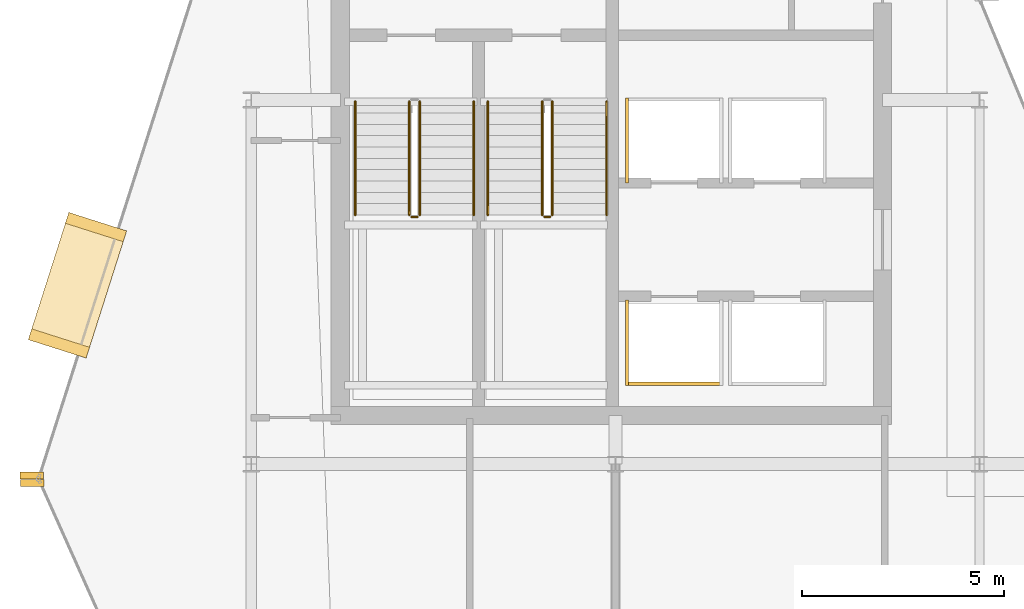
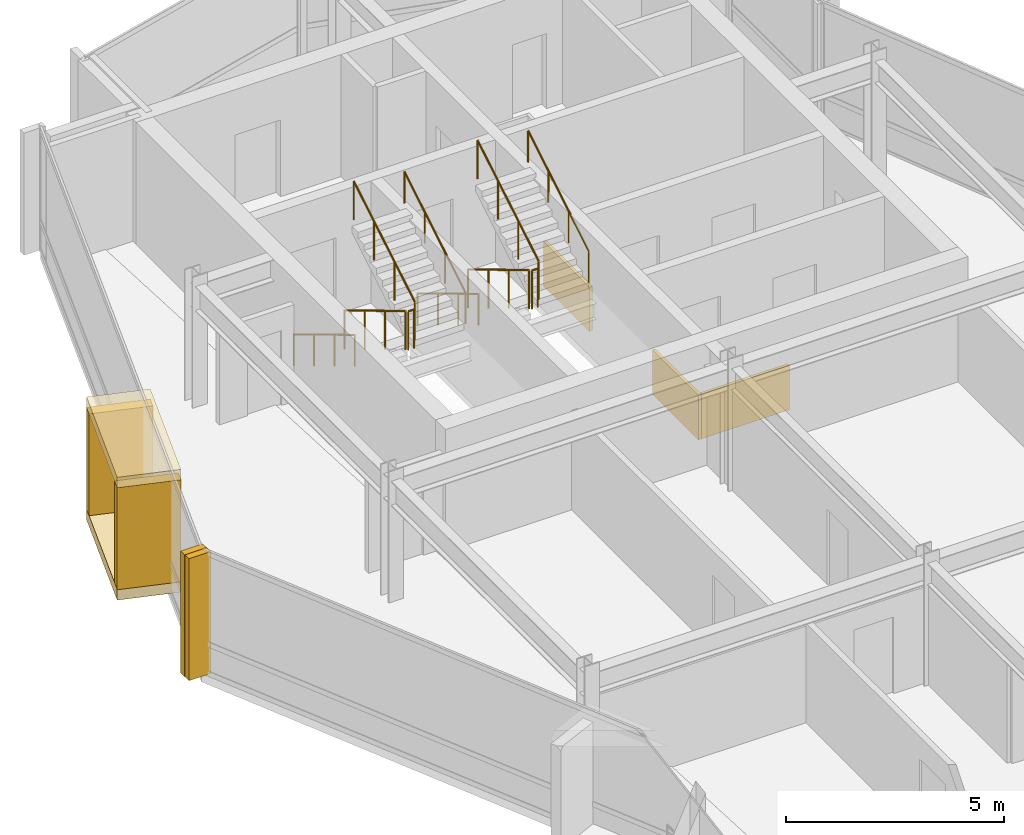
# One storey, part 17 of 19: 10 railings, 9 coverings.
"""IFC4 building model written with IfcOpenShell, lengths in metres."""

from ifc_helpers import new_model, si_unit, direction, frame, origin, origin_2d, place, context, subcontext, project, spatial, rectangle, circle, extrude, material, layer, layer_set, type_object, element, save


model = new_model("IFC4")

# Units and contexts
model_context = context("Model", 3, precision=1e-05, world=origin(), true_north=direction((0.0, 1.0)))
body_context = subcontext(model_context, "Body", "Model", "MODEL_VIEW")
ifc_project = project(units=[si_unit("LENGTHUNIT", "METRE"), si_unit("AREAUNIT", "SQUARE_METRE"), si_unit("VOLUMEUNIT", "CUBIC_METRE"), si_unit("PLANEANGLEUNIT", "RADIAN"), si_unit("MASSUNIT", "GRAM", prefix="KILO")], contexts=[model_context])

# Site, building, storey
site_placement = place(None, origin())
site = spatial("IfcSite", under=ifc_project, at=site_placement, CompositionType="ELEMENT")
building_placement = place(site_placement, origin())
building = spatial("IfcBuilding", under=site, at=building_placement, Name="Solvaryn Broadcast Tower", CompositionType="ELEMENT")
storey_placement = place(building_placement, frame((0.0, 0.0, 251.89990234375)))
storey = spatial("IfcBuildingStorey", under=building, at=storey_placement, Name="L63", CompositionType="ELEMENT", Elevation=251.89990234375)

# Coverings
ifc_material_1 = material(Name="Fire-Rated Gypsum Shaftwall Liner", Category="concrete")
ifc_layer_1 = layer(ifc_material_1, 0.080078125)
ifc_layer_set_1 = layer_set([ifc_layer_1], Name="CV-SHAFT-LINER")
covering_type_1 = type_object("IfcCoveringType", Name="CV-SHAFT-LINER", PredefinedType="CLADDING", material=ifc_layer_set_1)
covering_placement = place(storey_placement, frame((19.449951171875, 28.985107421875, 0.0), z_axis=(0.0, 0.0, 1.0), x_axis=(1.0, 0.0, 0.0)))
element("IfcCovering", 1, at=covering_placement, inside=storey, type_object=covering_type_1, Name="L63 PH1 Hoistway Shaft Liner South", PredefinedType="CLADDING", context=body_context, shape_type="SweptSolid", body=[
    extrude(rectangle(XDim=2.409912109375, YDim=0.080078125, at=origin_2d()), origin(), (0.0, 0.0, 1.0), 1.25),
])
for number, where, z_axis, x_axis, name in (
    (2, (18.284912109375, 30.0, 0.0), (0.0, 0.0, 1.0), (1.0, 0.0, 0.0), "L63 PH1 Hoistway Shaft Liner West"),
    (3, (18.284912109375, 35.0, 0.0), (0.0, 0.0, 1.0), (1.0, 0.0, 0.0), "L63 PH3 Hoistway Shaft Liner West"),
):
    element("IfcCovering", number, at=place(storey_placement, frame(where, z_axis=z_axis, x_axis=x_axis)), inside=storey, type_object=covering_type_1, Name=name, PredefinedType="CLADDING", context=body_context, shape_type="SweptSolid", body=[
        extrude(rectangle(XDim=0.080078125, YDim=2.110107421875, at=origin_2d()), origin(), (0.0, 0.0, 1.0), 1.25),
    ])
ifc_material_2 = material(Name="Glazed Architectural Terracotta Rainscreen Cladding", Category="masonry")
ifc_layer_2 = layer(ifc_material_2, 0.280029296875)
ifc_layer_set_2 = layer_set([ifc_layer_2], Name="CV-TC-CLAD")
covering_type_2 = type_object("IfcCoveringType", Name="CV-TC-CLAD", PredefinedType="CLADDING", material=ifc_layer_set_2)
for number, where, z_axis, x_axis, name in (
    (4, (4.7060546875, 31.4208984375, 3.1298828125), (0.0, 0.0, 1.0), (-0.303534206887, -0.952820541996, 0.0), "L63 Projecting Stone Window Box Hood 1"),
    (5, (4.7060546875, 31.4208984375, -0.009765625), (0.0, 0.0, 1.0), (-0.303534206887, -0.952820541996, 0.0), "L63 Projecting Stone Window Box Sill 1"),
):
    element("IfcCovering", number, at=place(storey_placement, frame(where, z_axis=z_axis, x_axis=x_axis)), inside=storey, type_object=covering_type_2, Name=name, PredefinedType="CLADDING", context=body_context, shape_type="SweptSolid", body=[
        extrude(rectangle(XDim=3.300048828125, YDim=1.5, at=origin_2d()), origin(), (0.0, 0.0, 1.0), 0.300048828125),
    ])
for number, where, z_axis, x_axis, name in (
    (6, (5.164306640625, 32.85986328125, 0.2802734375), (0.0, 0.0, 1.0), (-0.303534206887, -0.952820541996, 0.0), "L63 Projecting Stone Window Box Cheek 1-1"),
    (7, (4.247802734375, 29.982177734375, 0.2802734375), (0.0, 0.0, 1.0), (-0.303534206887, -0.952820541996, 0.0), "L63 Projecting Stone Window Box Cheek 1-2"),
):
    element("IfcCovering", number, at=place(storey_placement, frame(where, z_axis=z_axis, x_axis=x_axis)), inside=storey, type_object=covering_type_2, Name=name, PredefinedType="CLADDING", context=body_context, shape_type="SweptSolid", body=[
        extrude(rectangle(XDim=0.280029296875, YDim=1.5, at=origin_2d()), origin(), (0.0, 0.0, 1.0), 2.860107421875),
    ])
ifc_material_3 = material(Name="Extruded Architectural Terracotta Fin", Category="masonry")
ifc_layer_3 = layer(ifc_material_3, 0.179931640625)
ifc_layer_set_3 = layer_set([ifc_layer_3], Name="CV-TC-FIN")
covering_type_3 = type_object("IfcCoveringType", Name="CV-TC-FIN", PredefinedType="USERDEFINED", material=ifc_layer_set_3)
for number, where, z_axis, x_axis, name in (
    (8, (3.575439453125, 26.71923828125, 0.000244140625), (0.0, 0.0, 1.0), (1.0, 0.0, 0.0), "L63 Terracotta Vertical Fin FIN-L63-DR1-M01"),
    (9, (3.5859375, 26.53515625, 0.000244140625), (0.0, 0.0, 1.0), (1.0, 0.0, 0.0), "L63 Terracotta Vertical Fin FIN-L63-DR2-M00"),
):
    element("IfcCovering", number, at=place(storey_placement, frame(where, z_axis=z_axis, x_axis=x_axis)), inside=storey, type_object=covering_type_3, Name=name, ObjectType="FIN", PredefinedType="USERDEFINED", context=body_context, shape_type="SweptSolid", body=[
        extrude(rectangle(XDim=0.580078125, YDim=0.179931640625, at=origin_2d()), origin(), (0.0, 0.0, 1.0), 3.419921875),
    ])

# Railings
ifc_material_4 = material(Name="Painted Steel Stair Well Guard", Category="steel")
railing_type_1 = type_object("IfcRailingType", Name="RL-STAIR-GUARD", PredefinedType="BALUSTRADE", material=ifc_material_4)
railing_1_placement = place(storey_placement, frame((12.909912109375, 35.9599609375, 0.168212890625)))
element("IfcRailing", 10, at=railing_1_placement, inside=storey, type_object=railing_type_1, Name="L63 ST1 stair guard 1", PredefinedType="BALUSTRADE", context=body_context, shape_type="SweptSolid", body=[
    extrude(circle(Radius=0.02392578125, at=origin_2d()), frame((0.0, 0.0, 1.076171875), z_axis=(0.0, -0.857242210791, 0.514913383045), x_axis=(1.0, 0.0, 0.0)), (0.0, 0.0, 1.0), 3.266357421875),
    extrude(circle(Radius=0.02099609375, at=origin_2d()), origin(), (0.0, 0.0, 1.0), 1.052001953125),
    extrude(circle(Radius=0.02099609375, at=origin_2d()), frame((0.0, -0.933349609375, 0.560546875)), (0.0, 0.0, 1.0), 1.052001953125),
    extrude(circle(Radius=0.02099609375, at=origin_2d()), frame((0.0, -1.86669921875, 1.121337890625)), (0.0, 0.0, 1.0), 1.052001953125),
    extrude(circle(Radius=0.02099609375, at=origin_2d()), frame((0.0, -2.800048828125, 1.681884765625)), (0.0, 0.0, 1.0), 1.052001953125),
])
railing_2_placement = place(storey_placement, frame((12.9599609375, 33.110107421875, 1.85009765625)))
element("IfcRailing", 11, at=railing_2_placement, inside=storey, type_object=railing_type_1, Name="L63 ST1 stair guard 2", PredefinedType="BALUSTRADE", context=body_context, shape_type="SweptSolid", body=[
    extrude(circle(Radius=0.02392578125, at=origin_2d()), frame((0.0, 0.0, 1.076171875), z_axis=(1.0, 0.0, 0.0), x_axis=(0.0, 1.0, 0.0)), (0.0, 0.0, 1.0), 0.150146484375),
    extrude(circle(Radius=0.02099609375, at=origin_2d()), origin(), (0.0, 0.0, 1.0), 1.052001953125),
    extrude(circle(Radius=0.02099609375, at=origin_2d()), frame((0.150146484375, 0.0, 0.0)), (0.0, 0.0, 1.0), 1.052001953125),
])
railing_3_placement = place(storey_placement, frame((13.159912109375, 33.159912109375, 2.018310546875)))
element("IfcRailing", 12, at=railing_3_placement, inside=storey, type_object=railing_type_1, Name="L63 ST1 stair guard 3", PredefinedType="BALUSTRADE", context=body_context, shape_type="SweptSolid", body=[
    extrude(circle(Radius=0.02392578125, at=origin_2d()), frame((0.0, 0.0, 1.076171875), z_axis=(0.0, 0.857242210791, 0.514913383045), x_axis=(-1.0, 0.0, 0.0)), (0.0, 0.0, 1.0), 3.266357421875),
    extrude(circle(Radius=0.02099609375, at=origin_2d()), origin(), (0.0, 0.0, 1.0), 1.052001953125),
    extrude(circle(Radius=0.02099609375, at=origin_2d()), frame((0.0, 0.933349609375, 0.560546875)), (0.0, 0.0, 1.0), 1.052001953125),
    extrude(circle(Radius=0.02099609375, at=origin_2d()), frame((0.0, 1.86669921875, 1.121337890625)), (0.0, 0.0, 1.0), 1.052001953125),
    extrude(circle(Radius=0.02099609375, at=origin_2d()), frame((0.0, 2.800048828125, 1.681884765625)), (0.0, 0.0, 1.0), 1.052001953125),
])
railing_4_placement = place(storey_placement, frame((16.18994140625, 35.9599609375, 0.168212890625)))
element("IfcRailing", 13, at=railing_4_placement, inside=storey, type_object=railing_type_1, Name="L63 ST2 stair guard 1", PredefinedType="BALUSTRADE", context=body_context, shape_type="SweptSolid", body=[
    extrude(circle(Radius=0.02392578125, at=origin_2d()), frame((0.0, 0.0, 1.076171875), z_axis=(0.0, -0.857242210791, 0.514913383045), x_axis=(1.0, 0.0, 0.0)), (0.0, 0.0, 1.0), 3.266357421875),
    extrude(circle(Radius=0.02099609375, at=origin_2d()), origin(), (0.0, 0.0, 1.0), 1.052001953125),
    extrude(circle(Radius=0.02099609375, at=origin_2d()), frame((0.0, -0.933349609375, 0.560546875)), (0.0, 0.0, 1.0), 1.052001953125),
    extrude(circle(Radius=0.02099609375, at=origin_2d()), frame((0.0, -1.86669921875, 1.121337890625)), (0.0, 0.0, 1.0), 1.052001953125),
    extrude(circle(Radius=0.02099609375, at=origin_2d()), frame((0.0, -2.800048828125, 1.681884765625)), (0.0, 0.0, 1.0), 1.052001953125),
])
railing_5_placement = place(storey_placement, frame((16.239990234375, 33.110107421875, 1.85009765625)))
element("IfcRailing", 14, at=railing_5_placement, inside=storey, type_object=railing_type_1, Name="L63 ST2 stair guard 2", PredefinedType="BALUSTRADE", context=body_context, shape_type="SweptSolid", body=[
    extrude(circle(Radius=0.02392578125, at=origin_2d()), frame((0.0, 0.0, 1.076171875), z_axis=(1.0, 0.0, 0.0), x_axis=(0.0, 1.0, 0.0)), (0.0, 0.0, 1.0), 0.14990234375),
    extrude(circle(Radius=0.02099609375, at=origin_2d()), origin(), (0.0, 0.0, 1.0), 1.052001953125),
    extrude(circle(Radius=0.02099609375, at=origin_2d()), frame((0.14990234375, 0.0, 0.0)), (0.0, 0.0, 1.0), 1.052001953125),
])
railing_6_placement = place(storey_placement, frame((16.43994140625, 33.159912109375, 2.018310546875)))
element("IfcRailing", 15, at=railing_6_placement, inside=storey, type_object=railing_type_1, Name="L63 ST2 stair guard 3", PredefinedType="BALUSTRADE", context=body_context, shape_type="SweptSolid", body=[
    extrude(circle(Radius=0.02392578125, at=origin_2d()), frame((0.0, 0.0, 1.076171875), z_axis=(0.0, 0.857242210791, 0.514913383045), x_axis=(-1.0, 0.0, 0.0)), (0.0, 0.0, 1.0), 3.266357421875),
    extrude(circle(Radius=0.02099609375, at=origin_2d()), origin(), (0.0, 0.0, 1.0), 1.052001953125),
    extrude(circle(Radius=0.02099609375, at=origin_2d()), frame((0.0, 0.933349609375, 0.560546875)), (0.0, 0.0, 1.0), 1.052001953125),
    extrude(circle(Radius=0.02099609375, at=origin_2d()), frame((0.0, 1.86669921875, 1.121337890625)), (0.0, 0.0, 1.0), 1.052001953125),
    extrude(circle(Radius=0.02099609375, at=origin_2d()), frame((0.0, 2.800048828125, 1.681884765625)), (0.0, 0.0, 1.0), 1.052001953125),
])
ifc_material_5 = material(Name="Brushed Stainless Steel Tubular Handrail", Category="steel")
railing_type_2 = type_object("IfcRailingType", Name="RL-STAIR-HANDRAIL", PredefinedType="HANDRAIL", material=ifc_material_5)
railing_7_placement = place(storey_placement, frame((11.570068359375, 35.9599609375, 0.168212890625)))
element("IfcRailing", 16, at=railing_7_placement, inside=storey, type_object=railing_type_2, Name="L63 ST1 stair handrail 1", PredefinedType="HANDRAIL", context=body_context, shape_type="SweptSolid", body=[
    extrude(circle(Radius=0.02392578125, at=origin_2d()), frame((0.0, 0.0, 0.8759765625), z_axis=(0.0, -0.857242210791, 0.514913383045), x_axis=(1.0, 0.0, 0.0)), (0.0, 0.0, 1.0), 3.266357421875),
    extrude(circle(Radius=0.02099609375, at=origin_2d()), origin(), (0.0, 0.0, 1.0), 0.851806640625),
    extrude(circle(Radius=0.02099609375, at=origin_2d()), frame((0.0, -0.933349609375, 0.560546875)), (0.0, 0.0, 1.0), 0.851806640625),
    extrude(circle(Radius=0.02099609375, at=origin_2d()), frame((0.0, -1.86669921875, 1.121337890625)), (0.0, 0.0, 1.0), 0.851806640625),
    extrude(circle(Radius=0.02099609375, at=origin_2d()), frame((0.0, -2.800048828125, 1.681884765625)), (0.0, 0.0, 1.0), 0.851806640625),
])
railing_8_placement = place(storey_placement, frame((14.5, 33.159912109375, 2.018310546875)))
element("IfcRailing", 17, at=railing_8_placement, inside=storey, type_object=railing_type_2, Name="L63 ST1 stair handrail 2", PredefinedType="HANDRAIL", context=body_context, shape_type="SweptSolid", body=[
    extrude(circle(Radius=0.02392578125, at=origin_2d()), frame((0.0, 0.0, 0.8759765625), z_axis=(0.0, 0.857242210791, 0.514913383045), x_axis=(-1.0, 0.0, 0.0)), (0.0, 0.0, 1.0), 3.266357421875),
    extrude(circle(Radius=0.02099609375, at=origin_2d()), origin(), (0.0, 0.0, 1.0), 0.851806640625),
    extrude(circle(Radius=0.02099609375, at=origin_2d()), frame((0.0, 0.933349609375, 0.560546875)), (0.0, 0.0, 1.0), 0.851806640625),
    extrude(circle(Radius=0.02099609375, at=origin_2d()), frame((0.0, 1.86669921875, 1.121337890625)), (0.0, 0.0, 1.0), 0.851806640625),
    extrude(circle(Radius=0.02099609375, at=origin_2d()), frame((0.0, 2.800048828125, 1.681884765625)), (0.0, 0.0, 1.0), 0.851806640625),
])
railing_9_placement = place(storey_placement, frame((14.85009765625, 35.9599609375, 0.168212890625)))
element("IfcRailing", 18, at=railing_9_placement, inside=storey, type_object=railing_type_2, Name="L63 ST2 stair handrail 1", PredefinedType="HANDRAIL", context=body_context, shape_type="SweptSolid", body=[
    extrude(circle(Radius=0.02392578125, at=origin_2d()), frame((0.0, 0.0, 0.8759765625), z_axis=(0.0, -0.857242210791, 0.514913383045), x_axis=(1.0, 0.0, 0.0)), (0.0, 0.0, 1.0), 3.266357421875),
    extrude(circle(Radius=0.02099609375, at=origin_2d()), origin(), (0.0, 0.0, 1.0), 0.851806640625),
    extrude(circle(Radius=0.02099609375, at=origin_2d()), frame((0.0, -0.933349609375, 0.560546875)), (0.0, 0.0, 1.0), 0.851806640625),
    extrude(circle(Radius=0.02099609375, at=origin_2d()), frame((0.0, -1.86669921875, 1.121337890625)), (0.0, 0.0, 1.0), 0.851806640625),
    extrude(circle(Radius=0.02099609375, at=origin_2d()), frame((0.0, -2.800048828125, 1.681884765625)), (0.0, 0.0, 1.0), 0.851806640625),
])
railing_10_placement = place(storey_placement, frame((17.780029296875, 33.159912109375, 2.018310546875)))
element("IfcRailing", 19, at=railing_10_placement, inside=storey, type_object=railing_type_2, Name="L63 ST2 stair handrail 2", PredefinedType="HANDRAIL", context=body_context, shape_type="SweptSolid", body=[
    extrude(circle(Radius=0.02392578125, at=origin_2d()), frame((0.0, 0.0, 0.8759765625), z_axis=(0.0, 0.857242210791, 0.514913383045), x_axis=(-1.0, 0.0, 0.0)), (0.0, 0.0, 1.0), 3.266357421875),
    extrude(circle(Radius=0.02099609375, at=origin_2d()), origin(), (0.0, 0.0, 1.0), 0.851806640625),
    extrude(circle(Radius=0.02099609375, at=origin_2d()), frame((0.0, 0.933349609375, 0.560546875)), (0.0, 0.0, 1.0), 0.851806640625),
    extrude(circle(Radius=0.02099609375, at=origin_2d()), frame((0.0, 1.86669921875, 1.121337890625)), (0.0, 0.0, 1.0), 0.851806640625),
    extrude(circle(Radius=0.02099609375, at=origin_2d()), frame((0.0, 2.800048828125, 1.681884765625)), (0.0, 0.0, 1.0), 0.851806640625),
])

save(model, "model.ifc")
